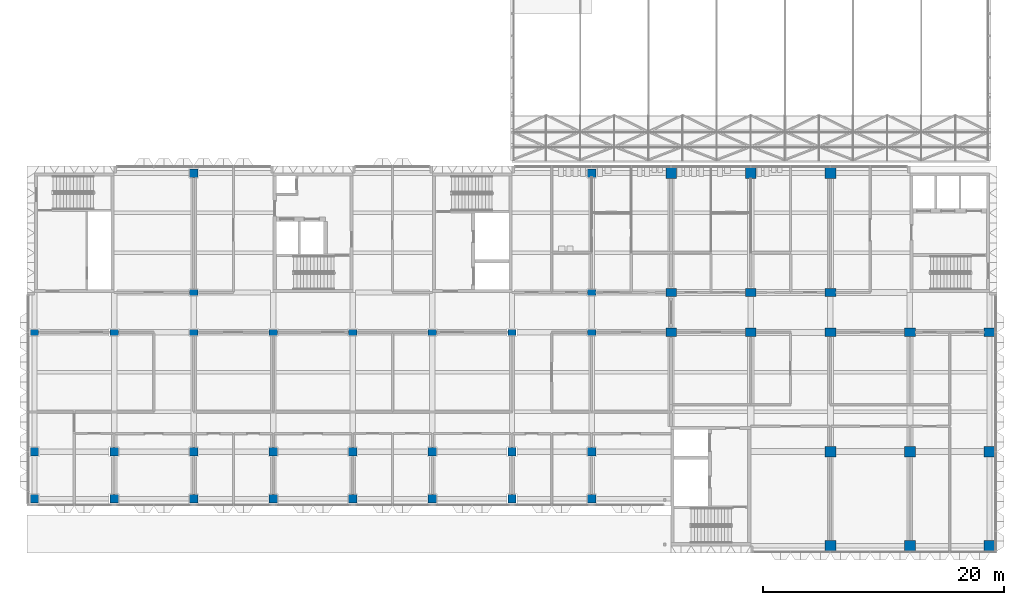
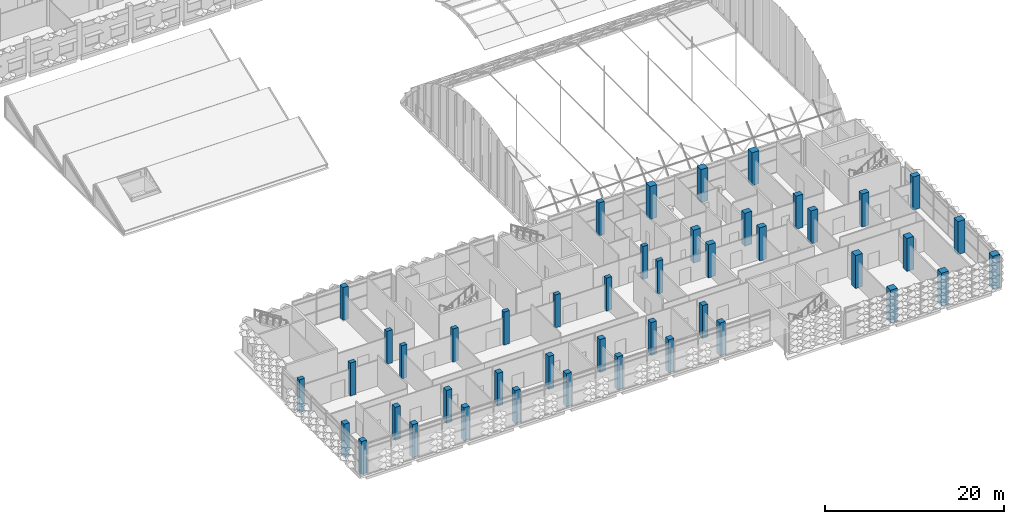
# One storey, part 1 of 109: 45 columns.
"""IFC4 building model written with IfcOpenShell, lengths in metres."""

from ifc_helpers import new_model, si_unit, direction, frame, origin, origin_2d, place, context, subcontext, project, spatial, rectangle, extrude, material, material_profile, profile_set, type_object, element, save


model = new_model("IFC4")

# Units and contexts
model_context = context("Model", 3, precision=1e-05, world=origin(), true_north=direction((0.0, 1.0)))
body_context = subcontext(model_context, "Body", "Model", "MODEL_VIEW")
ifc_project = project(units=[si_unit("LENGTHUNIT", "METRE"), si_unit("AREAUNIT", "SQUARE_METRE"), si_unit("VOLUMEUNIT", "CUBIC_METRE"), si_unit("PLANEANGLEUNIT", "RADIAN"), si_unit("MASSUNIT", "GRAM", prefix="KILO")], contexts=[model_context])

# Site, building, storey
site_placement = place(None, origin())
site = spatial("IfcSite", under=ifc_project, at=site_placement, CompositionType="ELEMENT")
building_placement = place(site_placement, origin())
building = spatial("IfcBuilding", under=site, at=building_placement, Name="Lantern Court Research Institute", CompositionType="ELEMENT")
storey_placement = place(building_placement, frame((0.0, 0.0, 14.39990234375)))
storey = spatial("IfcBuildingStorey", under=building, at=storey_placement, Name="L03", CompositionType="ELEMENT", Elevation=14.39990234375)

# Columns
ifc_material_1 = material(Name="Concrete C40/50", Category="concrete")
ifc_material_profile_1 = material_profile(ifc_material_1, rectangle(XDim=0.699951171875, YDim=0.5, at=origin_2d()), Name="RC column 700 x 500")
ifc_profile_set_1 = profile_set([ifc_material_profile_1], Name="Concrete C40/50")
column_type_1 = type_object("IfcColumnType", Name="RC column 700 x 500", PredefinedType="COLUMN", material=ifc_profile_set_1)
for number, where, z_axis, x_axis, name in (
    (1, (0.0, 9.89990234375, 0.0), (0.0, 0.0, 1.0), (1.0, 0.0, 0.0), "Column L03 grid 1/B"),
    (2, (6.60009765625, 9.89990234375, 0.0), (0.0, 0.0, 1.0), (1.0, 0.0, 0.0), "Column L03 grid 2/B"),
    (3, (13.199951171875, 9.89990234375, 0.0), (0.0, 0.0, 1.0), (1.0, 0.0, 0.0), "Column L03 grid 3/B"),
    (4, (13.199951171875, 13.199951171875, 0.0), (0.0, 0.0, 1.0), (1.0, 0.0, 0.0), "Column L03 grid 3/C"),
    (5, (19.800048828125, 9.89990234375, 0.0), (0.0, 0.0, 1.0), (1.0, 0.0, 0.0), "Column L03 grid 4/B"),
    (6, (26.39990234375, 9.89990234375, 0.0), (0.0, 0.0, 1.0), (1.0, 0.0, 0.0), "Column L03 grid 5/B"),
    (7, (33.0, 9.89990234375, 0.0), (0.0, 0.0, 1.0), (1.0, 0.0, 0.0), "Column L03 grid 6/B"),
    (8, (39.60009765625, 9.89990234375, 0.0), (0.0, 0.0, 1.0), (1.0, 0.0, 0.0), "Column L03 grid 7/B"),
    (9, (46.199951171875, 9.89990234375, 0.0), (0.0, 0.0, 1.0), (1.0, 0.0, 0.0), "Column L03 grid 8/B"),
    (10, (46.199951171875, 13.199951171875, 0.0), (0.0, 0.0, 1.0), (1.0, 0.0, 0.0), "Column L03 grid 8/C"),
):
    element("IfcColumn", number, at=place(storey_placement, frame(where, z_axis=z_axis, x_axis=x_axis)), inside=storey, type_object=column_type_1, Name=name, PredefinedType="COLUMN", context=body_context, shape_type="SweptSolid", body=[
        extrude(rectangle(XDim=0.699951171875, YDim=0.5, at=origin_2d()), origin(), (0.0, 0.0, 1.0), 4.5),
    ])
ifc_material_2 = material(Name="Concrete C40/50", Category="concrete")
ifc_material_profile_2 = material_profile(ifc_material_2, rectangle(XDim=0.699951171875, YDim=0.699951171875, at=origin_2d()), Name="RC column 700 x 700")
ifc_profile_set_2 = profile_set([ifc_material_profile_2], Name="Concrete C40/50")
column_type_2 = type_object("IfcColumnType", Name="RC column 700 x 700", PredefinedType="COLUMN", material=ifc_profile_set_2)
for number, where, z_axis, x_axis, name in (
    (11, (0.0, 0.0, 0.0), (0.0, 0.0, 1.0), (1.0, 0.0, 0.0), "Column L03 grid 1/A"),
    (12, (6.60009765625, 0.0, 0.0), (0.0, 0.0, 1.0), (1.0, 0.0, 0.0), "Column L03 grid 2/A"),
    (13, (13.199951171875, 0.0, 0.0), (0.0, 0.0, 1.0), (1.0, 0.0, 0.0), "Column L03 grid 3/A"),
    (14, (13.199951171875, 23.10009765625, 0.0), (0.0, 0.0, 1.0), (1.0, 0.0, 0.0), "Column L03 grid 3/D"),
    (15, (19.800048828125, 0.0, 0.0), (0.0, 0.0, 1.0), (1.0, 0.0, 0.0), "Column L03 grid 4/A"),
    (16, (26.39990234375, 0.0, 0.0), (0.0, 0.0, 1.0), (1.0, 0.0, 0.0), "Column L03 grid 5/A"),
    (17, (33.0, 0.0, 0.0), (0.0, 0.0, 1.0), (1.0, 0.0, 0.0), "Column L03 grid 6/A"),
    (18, (39.60009765625, 0.0, 0.0), (0.0, 0.0, 1.0), (1.0, 0.0, 0.0), "Column L03 grid 7/A"),
    (19, (46.199951171875, 0.0, 0.0), (0.0, 0.0, 1.0), (1.0, 0.0, 0.0), "Column L03 grid 8/A"),
    (20, (46.199951171875, 23.10009765625, 0.0), (0.0, 0.0, 1.0), (1.0, 0.0, 0.0), "Column L03 grid 8/D"),
    (21, (0.0, -3.89990234375, 0.0), (0.0, 0.0, 1.0), (1.0, 0.0, 0.0), "Column L03 grid 1/Y"),
    (22, (6.60009765625, -3.89990234375, 0.0), (0.0, 0.0, 1.0), (1.0, 0.0, 0.0), "Column L03 grid 2/Y"),
    (23, (13.199951171875, -3.89990234375, 0.0), (0.0, 0.0, 1.0), (1.0, 0.0, 0.0), "Column L03 grid 3/Y"),
    (24, (19.800048828125, -3.89990234375, 0.0), (0.0, 0.0, 1.0), (1.0, 0.0, 0.0), "Column L03 grid 4/Y"),
    (25, (26.39990234375, -3.89990234375, 0.0), (0.0, 0.0, 1.0), (1.0, 0.0, 0.0), "Column L03 grid 5/Y"),
    (26, (33.0, -3.89990234375, 0.0), (0.0, 0.0, 1.0), (1.0, 0.0, 0.0), "Column L03 grid 6/Y"),
    (27, (39.60009765625, -3.89990234375, 0.0), (0.0, 0.0, 1.0), (1.0, 0.0, 0.0), "Column L03 grid 7/Y"),
    (28, (46.199951171875, -3.89990234375, 0.0), (0.0, 0.0, 1.0), (1.0, 0.0, 0.0), "Column L03 grid 8/Y"),
):
    element("IfcColumn", number, at=place(storey_placement, frame(where, z_axis=z_axis, x_axis=x_axis)), inside=storey, type_object=column_type_2, Name=name, PredefinedType="COLUMN", context=body_context, shape_type="SweptSolid", body=[
        extrude(rectangle(XDim=0.699951171875, YDim=0.699951171875, at=origin_2d()), origin(), (0.0, 0.0, 1.0), 4.5),
    ])
ifc_material_3 = material(Name="Concrete C40/50", Category="concrete")
ifc_material_profile_3 = material_profile(ifc_material_3, rectangle(XDim=0.89990234375, YDim=0.699951171875, at=origin_2d()), Name="RC column 900 x 700")
ifc_profile_set_3 = profile_set([ifc_material_profile_3], Name="Concrete C40/50")
column_type_3 = type_object("IfcColumnType", Name="RC column 900 x 700", PredefinedType="COLUMN", material=ifc_profile_set_3)
for number, where, z_axis, x_axis, name in (
    (29, (52.800048828125, 9.89990234375, 0.0), (0.0, 0.0, 1.0), (1.0, 0.0, 0.0), "Column L03 grid 9/B"),
    (30, (52.800048828125, 13.199951171875, 0.0), (0.0, 0.0, 1.0), (1.0, 0.0, 0.0), "Column L03 grid 9/C"),
    (31, (59.39990234375, 9.89990234375, 0.0), (0.0, 0.0, 1.0), (1.0, 0.0, 0.0), "Column L03 grid 10/B"),
    (32, (59.39990234375, 13.199951171875, 0.0), (0.0, 0.0, 1.0), (1.0, 0.0, 0.0), "Column L03 grid 10/C"),
    (33, (66.0, 9.89990234375, 0.0), (0.0, 0.0, 1.0), (1.0, 0.0, 0.0), "Column L03 grid 11/B"),
    (34, (66.0, 13.199951171875, 0.0), (0.0, 0.0, 1.0), (1.0, 0.0, 0.0), "Column L03 grid 11/C"),
    (35, (72.60009765625, 9.89990234375, 0.0), (0.0, 0.0, 1.0), (1.0, 0.0, 0.0), "Column L03 grid 12/B"),
    (36, (79.199951171875, 9.89990234375, 0.0), (0.0, 0.0, 1.0), (1.0, 0.0, 0.0), "Column L03 grid 13/B"),
):
    element("IfcColumn", number, at=place(storey_placement, frame(where, z_axis=z_axis, x_axis=x_axis)), inside=storey, type_object=column_type_3, Name=name, PredefinedType="COLUMN", context=body_context, shape_type="SweptSolid", body=[
        extrude(rectangle(XDim=0.89990234375, YDim=0.699951171875, at=origin_2d()), origin(), (0.0, 0.0, 1.0), 4.5),
    ])
ifc_material_4 = material(Name="Concrete C40/50", Category="concrete")
ifc_material_profile_4 = material_profile(ifc_material_4, rectangle(XDim=0.89990234375, YDim=0.89990234375, at=origin_2d()), Name="RC column 900 x 900")
ifc_profile_set_4 = profile_set([ifc_material_profile_4], Name="Concrete C40/50")
column_type_4 = type_object("IfcColumnType", Name="RC column 900 x 900", PredefinedType="COLUMN", material=ifc_profile_set_4)
for number, where, z_axis, x_axis, name in (
    (37, (52.800048828125, 23.10009765625, 0.0), (0.0, 0.0, 1.0), (1.0, 0.0, 0.0), "Column L03 grid 9/D"),
    (38, (59.39990234375, 23.10009765625, 0.0), (0.0, 0.0, 1.0), (1.0, 0.0, 0.0), "Column L03 grid 10/D"),
    (39, (66.0, -7.800048828125, 0.0), (0.0, 0.0, 1.0), (1.0, 0.0, 0.0), "Column L03 grid 11/Z"),
    (40, (66.0, 0.0, 0.0), (0.0, 0.0, 1.0), (1.0, 0.0, 0.0), "Column L03 grid 11/A"),
    (41, (66.0, 23.10009765625, 0.0), (0.0, 0.0, 1.0), (1.0, 0.0, 0.0), "Column L03 grid 11/D"),
    (42, (72.60009765625, -7.800048828125, 0.0), (0.0, 0.0, 1.0), (1.0, 0.0, 0.0), "Column L03 grid 12/Z"),
    (43, (72.60009765625, 0.0, 0.0), (0.0, 0.0, 1.0), (1.0, 0.0, 0.0), "Column L03 grid 12/A"),
    (44, (79.199951171875, -7.800048828125, 0.0), (0.0, 0.0, 1.0), (1.0, 0.0, 0.0), "Column L03 grid 13/Z"),
    (45, (79.199951171875, 0.0, 0.0), (0.0, 0.0, 1.0), (1.0, 0.0, 0.0), "Column L03 grid 13/A"),
):
    element("IfcColumn", number, at=place(storey_placement, frame(where, z_axis=z_axis, x_axis=x_axis)), inside=storey, type_object=column_type_4, Name=name, PredefinedType="COLUMN", context=body_context, shape_type="SweptSolid", body=[
        extrude(rectangle(XDim=0.89990234375, YDim=0.89990234375, at=origin_2d()), origin(), (0.0, 0.0, 1.0), 4.5),
    ])

save(model, "model.ifc")
